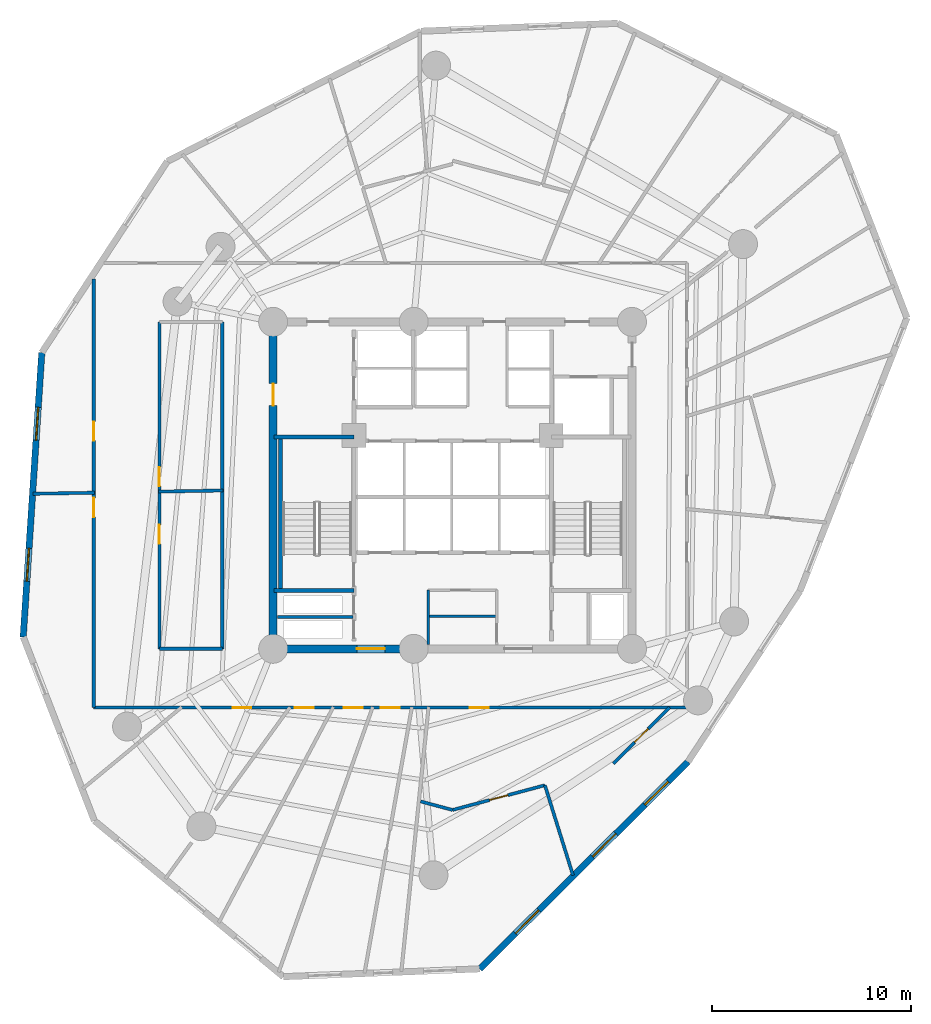
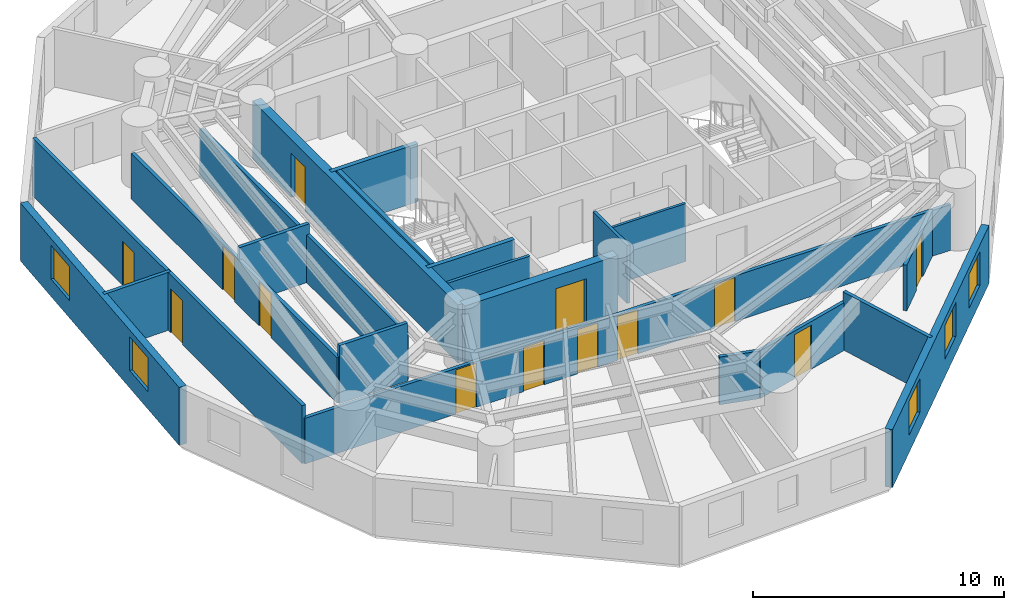
# One storey, part 3 of 8: 21 walls, 13 doors, 5 windows, 18 openings.
"""IFC4 building model written with IfcOpenShell, lengths in metres."""

from ifc_helpers import new_model, si_unit, direction, frame, frame_2d, origin, origin_with_axes, place, context, subcontext, project, spatial, rectangle, extrude, source, transform, mapped, material, layer, layer_set, type_object, element, fill, save


model = new_model("IFC4")

# Units and contexts
model_context = context("Model", 3, precision=1e-05, world=origin(), true_north=direction((0.0, 1.0)))
body_context = subcontext(model_context, "Body", "Model", "MODEL_VIEW")
ifc_project = project(units=[si_unit("LENGTHUNIT", "METRE"), si_unit("AREAUNIT", "SQUARE_METRE"), si_unit("VOLUMEUNIT", "CUBIC_METRE"), si_unit("PLANEANGLEUNIT", "RADIAN"), si_unit("MASSUNIT", "GRAM", prefix="KILO")], contexts=[model_context])

# Site, building, storey
site_placement = place(None, origin())
site = spatial("IfcSite", under=ifc_project, at=site_placement, CompositionType="ELEMENT")
building_placement = place(site_placement, origin())
building = spatial("IfcBuilding", under=site, at=building_placement, Name="Karkom Vertical University and Central Library", CompositionType="ELEMENT")
storey_placement = place(building_placement, frame((0.0, 0.0, 105.35009765625)))
storey = spatial("IfcBuildingStorey", under=building, at=storey_placement, Name="L28", CompositionType="ELEMENT", Elevation=105.35009765625)

# Wall, openings, windows
ifc_material_1 = material(Name="Brick-faced precast concrete C45/55", Category="masonry")
ifc_layer_1 = layer(ifc_material_1, 0.320068359375)
ifc_layer_set_1 = layer_set([ifc_layer_1], Name="Brick-faced precast concrete C45/55")
wall_type_1 = type_object("IfcWallType", Name="ENV-WL-BRK-320", PredefinedType="SOLIDWALL", material=ifc_layer_set_1)
wall_1_placement = place(storey_placement, frame((7.897705078125, 33.16455078125, 0.0), z_axis=(0.0, 0.0, 1.0), x_axis=(-0.065291974146, -0.99786620251, 0.0)))
wall_1 = element("IfcWall", 1, at=wall_1_placement, inside=storey, type_object=wall_type_1, Name="Level 28 Brick-Faced Precast Facade Wall 02", PredefinedType="SOLIDWALL", context=body_context, shape_type="SweptSolid", body=[
    extrude(rectangle(XDim=14.302490234375, YDim=0.320068359375, at=frame_2d((7.1513671875, 0.0))), origin(), (0.0, 0.0, 1.0), 2.824951171875),
])
opening_1_placement = place(wall_1_placement, frame((2.754150390625, 0.0, 0.85009765625)))
opening_1 = element("IfcOpeningElement", 2, at=opening_1_placement, cuts=wall_1, Name="Opening WN-06", PredefinedType="OPENING", context=body_context, shape_type="SweptSolid", body=[
    extrude(rectangle(XDim=1.64990234375, YDim=1.64990234375, at=frame_2d((0.824951171875, 0.824951171875))), frame((0.0, 0.169921875, 0.0), z_axis=(0.0, -1.0, 0.0), x_axis=(1.0, 0.0, 0.0)), (0.0, 0.0, 1.0), 0.340087890625),
])
opening_2_placement = place(wall_1_placement, frame((9.84521484375, 0.0, 0.85009765625)))
opening_2 = element("IfcOpeningElement", 3, at=opening_2_placement, cuts=wall_1, Name="Opening WN-06", PredefinedType="OPENING", context=body_context, shape_type="SweptSolid", body=[
    extrude(rectangle(XDim=1.64990234375, YDim=1.64990234375, at=frame_2d((0.824951171875, 0.824951171875))), frame((0.0, 0.169921875, 0.0), z_axis=(0.0, -1.0, 0.0), x_axis=(1.0, 0.0, 0.0)), (0.0, 0.0, 1.0), 0.340087890625),
])
ifc_material_2 = material(Name="Aluminium thermal-break frame with solar-control IGU", Category="aluminium")
window_type = type_object("IfcWindowType", Name="ENV-WIN-WN-06", PartitioningType="SINGLE_PANEL", PredefinedType="WINDOW", material=ifc_material_2)
shared_shape_1 = source(origin_with_axes(), body_context, "Body", "SweptSolid", [
    extrude(rectangle(XDim=1.64990234375, YDim=1.64990234375, at=frame_2d((0.824951171875, 0.824951171875))), frame((0.0, 0.030029296875, 0.0), z_axis=(0.0, -1.0, 0.0), x_axis=(1.0, 0.0, 0.0)), (0.0, 0.0, 1.0), 0.06005859375),
])
window_1_placement = place(opening_1_placement, origin())
window_1 = element("IfcWindow", 4, at=window_1_placement, inside=storey, type_object=window_type, Name="Level 28 Punched Window 2.1", OverallHeight=1.64990234375, OverallWidth=1.64990234375, PartitioningType="SINGLE_PANEL", PredefinedType="WINDOW", context=body_context, shape_type="MappedRepresentation", body=[
    mapped(shared_shape_1, transform((0.0, 0.0, 0.0), scale=1.0)),
])
fill(opening_1, window_1)
window_2_placement = place(opening_2_placement, origin())
window_2 = element("IfcWindow", 5, at=window_2_placement, inside=storey, type_object=window_type, Name="Level 28 Punched Window 2.2", OverallHeight=1.64990234375, OverallWidth=1.64990234375, PartitioningType="SINGLE_PANEL", PredefinedType="WINDOW", context=body_context, shape_type="MappedRepresentation", body=[
    mapped(shared_shape_1, transform((0.0, 0.0, 0.0), scale=1.0)),
])
fill(opening_2, window_2)

wall_2_placement = place(storey_placement, frame((29.8623046875, 2.24365234375, 0.0), z_axis=(0.0, 0.0, 1.0), x_axis=(0.7092089117, 0.704998382668, 0.0)))
wall_2 = element("IfcWall", 6, at=wall_2_placement, inside=storey, type_object=wall_type_1, Name="Level 28 Brick-Faced Precast Facade Wall 06", PredefinedType="SOLIDWALL", context=body_context, shape_type="SweptSolid", body=[
    extrude(rectangle(XDim=14.727783203125, YDim=0.320068359375, at=frame_2d((7.36376953125, 0.0))), origin(), (0.0, 0.0, 1.0), 2.824951171875),
])
opening_3_placement = place(wall_2_placement, frame((2.52734375, 0.0, 0.85009765625)))
opening_3 = element("IfcOpeningElement", 7, at=opening_3_placement, cuts=wall_2, Name="Opening WN-06", PredefinedType="OPENING", context=body_context, shape_type="SweptSolid", body=[
    extrude(rectangle(XDim=1.64990234375, YDim=1.64990234375, at=frame_2d((0.824951171875, 0.824951171875))), frame((0.0, 0.169921875, 0.0), z_axis=(0.0, -1.0, 0.0), x_axis=(1.0, 0.0, 0.0)), (0.0, 0.0, 1.0), 0.340087890625),
])
opening_4_placement = place(wall_2_placement, frame((7.985595703125, 0.0, 0.85009765625)))
opening_4 = element("IfcOpeningElement", 8, at=opening_4_placement, cuts=wall_2, Name="Opening WN-06", PredefinedType="OPENING", context=body_context, shape_type="SweptSolid", body=[
    extrude(rectangle(XDim=1.64990234375, YDim=1.64990234375, at=frame_2d((0.824951171875, 0.824951171875))), frame((0.0, 0.169921875, 0.0), z_axis=(0.0, -1.0, 0.0), x_axis=(1.0, 0.0, 0.0)), (0.0, 0.0, 1.0), 0.340087890625),
])
opening_5_placement = place(wall_2_placement, frame((11.677001953125, 0.0, 0.85009765625)))
opening_5 = element("IfcOpeningElement", 9, at=opening_5_placement, cuts=wall_2, Name="Opening WN-06", PredefinedType="OPENING", context=body_context, shape_type="SweptSolid", body=[
    extrude(rectangle(XDim=1.64990234375, YDim=1.64990234375, at=frame_2d((0.824951171875, 0.824951171875))), frame((0.0, 0.169921875, 0.0), z_axis=(0.0, -1.0, 0.0), x_axis=(1.0, 0.0, 0.0)), (0.0, 0.0, 1.0), 0.340087890625),
])
window_3_placement = place(opening_3_placement, origin())
window_3 = element("IfcWindow", 10, at=window_3_placement, inside=storey, type_object=window_type, Name="Level 28 Punched Window 6.1", OverallHeight=1.64990234375, OverallWidth=1.64990234375, PartitioningType="SINGLE_PANEL", PredefinedType="WINDOW", context=body_context, shape_type="MappedRepresentation", body=[
    mapped(shared_shape_1, transform((0.0, 0.0, 0.0), scale=1.0)),
])
fill(opening_3, window_3)
window_4_placement = place(opening_4_placement, origin())
window_4 = element("IfcWindow", 11, at=window_4_placement, inside=storey, type_object=window_type, Name="Level 28 Punched Window 6.2", OverallHeight=1.64990234375, OverallWidth=1.64990234375, PartitioningType="SINGLE_PANEL", PredefinedType="WINDOW", context=body_context, shape_type="MappedRepresentation", body=[
    mapped(shared_shape_1, transform((0.0, 0.0, 0.0), scale=1.0)),
])
fill(opening_4, window_4)
window_5_placement = place(opening_5_placement, origin())
window_5 = element("IfcWindow", 12, at=window_5_placement, inside=storey, type_object=window_type, Name="Level 28 Punched Window 6.3", OverallHeight=1.64990234375, OverallWidth=1.64990234375, PartitioningType="SINGLE_PANEL", PredefinedType="WINDOW", context=body_context, shape_type="MappedRepresentation", body=[
    mapped(shared_shape_1, transform((0.0, 0.0, 0.0), scale=1.0)),
])
fill(opening_5, window_5)

# Wall, openings, doors
ifc_material_3 = material(Name="Insulated metal-stud drywall 160mm", Category="gypsum")
ifc_layer_2 = layer(ifc_material_3, 0.159912109375)
ifc_layer_set_2 = layer_set([ifc_layer_2], Name="Insulated metal-stud drywall 160mm")
wall_type_2 = type_object("IfcWallType", Name="INT-WL-COR-160", PredefinedType="PARTITIONING", material=ifc_layer_set_2)
wall_3_placement = place(storey_placement, frame((40.25, 15.35009765625, 0.0), z_axis=(0.0, 0.0, 1.0), x_axis=(-1.0, 0.0, 0.0)))
wall_3 = element("IfcWall", 13, at=wall_3_placement, inside=storey, type_object=wall_type_2, Name="Level 28 Interior Partition Wall L28-CORW-CW-001", PredefinedType="PARTITIONING", context=body_context, shape_type="SweptSolid", body=[
    extrude(rectangle(XDim=29.75, YDim=0.159912109375, at=frame_2d((14.875, 0.0))), origin(), (0.0, 0.0, 1.0), 2.224853515625),
])
opening_6_placement = place(wall_3_placement, frame((21.83740234375, 0.0, 0.0)))
opening_6 = element("IfcOpeningElement", 14, at=opening_6_placement, cuts=wall_3, Name="Opening D-RM1", PredefinedType="OPENING", context=body_context, shape_type="SweptSolid", body=[
    extrude(rectangle(XDim=0.949951171875, YDim=2.14990234375, at=frame_2d((0.47509765625, 1.074951171875))), frame((0.0, 0.08984375, 0.0), z_axis=(0.0, -1.0, 0.0), x_axis=(1.0, 0.0, 0.0)), (0.0, 0.0, 1.0), 0.179931640625),
])
opening_7_placement = place(wall_3_placement, frame((18.722412109375, 0.0, 0.0)))
opening_7 = element("IfcOpeningElement", 15, at=opening_7_placement, cuts=wall_3, Name="Opening D-RM1", PredefinedType="OPENING", context=body_context, shape_type="SweptSolid", body=[
    extrude(rectangle(XDim=0.949951171875, YDim=2.14990234375, at=frame_2d((0.47509765625, 1.074951171875))), frame((0.0, 0.08984375, 0.0), z_axis=(0.0, -1.0, 0.0), x_axis=(1.0, 0.0, 0.0)), (0.0, 0.0, 1.0), 0.179931640625),
])
opening_8_placement = place(wall_3_placement, frame((16.24951171875, 0.0, 0.0)))
opening_8 = element("IfcOpeningElement", 16, at=opening_8_placement, cuts=wall_3, Name="Opening D-RM1", PredefinedType="OPENING", context=body_context, shape_type="SweptSolid", body=[
    extrude(rectangle(XDim=0.949951171875, YDim=2.14990234375, at=frame_2d((0.47509765625, 1.074951171875))), frame((0.0, 0.08984375, 0.0), z_axis=(0.0, -1.0, 0.0), x_axis=(1.0, 0.0, 0.0)), (0.0, 0.0, 1.0), 0.179931640625),
])
opening_9_placement = place(wall_3_placement, frame((14.39990234375, 0.0, 0.0)))
opening_9 = element("IfcOpeningElement", 17, at=opening_9_placement, cuts=wall_3, Name="Opening D-RM1", PredefinedType="OPENING", context=body_context, shape_type="SweptSolid", body=[
    extrude(rectangle(XDim=0.949951171875, YDim=2.14990234375, at=frame_2d((0.47509765625, 1.074951171875))), frame((0.0, 0.08984375, 0.0), z_axis=(0.0, -1.0, 0.0), x_axis=(1.0, 0.0, 0.0)), (0.0, 0.0, 1.0), 0.179931640625),
])
opening_10_placement = place(wall_3_placement, frame((9.9375, 0.0, 0.0)))
opening_10 = element("IfcOpeningElement", 18, at=opening_10_placement, cuts=wall_3, Name="Opening D-RM1", PredefinedType="OPENING", context=body_context, shape_type="SweptSolid", body=[
    extrude(rectangle(XDim=0.949951171875, YDim=2.14990234375, at=frame_2d((0.47509765625, 1.074951171875))), frame((0.0, 0.08984375, 0.0), z_axis=(0.0, -1.0, 0.0), x_axis=(1.0, 0.0, 0.0)), (0.0, 0.0, 1.0), 0.179931640625),
])
ifc_material_4 = material(Name="Solid-core oak veneer door", Category="wood")
door_type_1 = type_object("IfcDoorType", Name="INT-DR-RM1", OperationType="NOTDEFINED", PredefinedType="DOOR", material=ifc_material_4)
shared_shape_2 = source(origin_with_axes(), body_context, "Body", "SweptSolid", [
    extrude(rectangle(XDim=0.949951171875, YDim=2.14990234375, at=frame_2d((0.47509765625, 1.074951171875))), frame((0.0, 0.02490234375, 0.0), z_axis=(0.0, -1.0, 0.0), x_axis=(1.0, 0.0, 0.0)), (0.0, 0.0, 1.0), 0.050048828125),
])
door_1_placement = place(opening_6_placement, origin())
door_1 = element("IfcDoor", 19, at=door_1_placement, inside=storey, type_object=door_type_1, Name="Level 28 Room Entry Door 020", OperationType="SINGLE_SWING_LEFT", OverallHeight=2.14990234375, OverallWidth=0.949951171875, PredefinedType="DOOR", context=body_context, shape_type="MappedRepresentation", body=[
    mapped(shared_shape_2, transform((0.0, 0.0, 0.0), scale=1.0)),
])
fill(opening_6, door_1)
door_2_placement = place(opening_7_placement, origin())
door_2 = element("IfcDoor", 20, at=door_2_placement, inside=storey, type_object=door_type_1, Name="Level 28 Room Entry Door 030", OperationType="SINGLE_SWING_RIGHT", OverallHeight=2.14990234375, OverallWidth=0.949951171875, PredefinedType="DOOR", context=body_context, shape_type="MappedRepresentation", body=[
    mapped(shared_shape_2, transform((0.0, 0.0, 0.0), scale=1.0)),
])
fill(opening_7, door_2)
door_3_placement = place(opening_8_placement, origin())
door_3 = element("IfcDoor", 21, at=door_3_placement, inside=storey, type_object=door_type_1, Name="Level 28 Room Entry Door 040", OperationType="SINGLE_SWING_LEFT", OverallHeight=2.14990234375, OverallWidth=0.949951171875, PredefinedType="DOOR", context=body_context, shape_type="MappedRepresentation", body=[
    mapped(shared_shape_2, transform((0.0, 0.0, 0.0), scale=1.0)),
])
fill(opening_8, door_3)
door_4_placement = place(opening_9_placement, origin())
door_4 = element("IfcDoor", 22, at=door_4_placement, inside=storey, type_object=door_type_1, Name="Level 28 Room Entry Door 050", OperationType="SINGLE_SWING_RIGHT", OverallHeight=2.14990234375, OverallWidth=0.949951171875, PredefinedType="DOOR", context=body_context, shape_type="MappedRepresentation", body=[
    mapped(shared_shape_2, transform((0.0, 0.0, 0.0), scale=1.0)),
])
fill(opening_9, door_4)
door_5_placement = place(opening_10_placement, origin())
door_5 = element("IfcDoor", 23, at=door_5_placement, inside=storey, type_object=door_type_1, Name="Level 28 Room Entry Door 080", OperationType="SINGLE_SWING_LEFT", OverallHeight=2.14990234375, OverallWidth=0.949951171875, PredefinedType="DOOR", context=body_context, shape_type="MappedRepresentation", body=[
    mapped(shared_shape_2, transform((0.0, 0.0, 0.0), scale=1.0)),
])
fill(opening_10, door_5)

wall_4_placement = place(storey_placement, frame((10.5, 15.35009765625, 0.0), z_axis=(0.0, 0.0, 1.0), x_axis=(0.0, 1.0, 0.0)))
wall_4 = element("IfcWall", 24, at=wall_4_placement, inside=storey, type_object=wall_type_2, Name="Level 28 Interior Partition Wall L28-CORW-CW-002", PredefinedType="PARTITIONING", context=body_context, shape_type="SweptSolid", body=[
    extrude(rectangle(XDim=21.502197265625, YDim=0.159912109375, at=frame_2d((10.7509765625, 0.0))), origin(), (0.0, 0.0, 1.0), 2.824951171875),
])
opening_11_placement = place(wall_4_placement, frame((9.555908203125, 0.0, 0.0)))
opening_11 = element("IfcOpeningElement", 25, at=opening_11_placement, cuts=wall_4, Name="Opening FD-RM2", PredefinedType="OPENING", context=body_context, shape_type="SweptSolid", body=[
    extrude(rectangle(XDim=0.9599609375, YDim=2.14990234375, at=frame_2d((0.47998046875, 1.074951171875))), frame((0.0, 0.08984375, 0.0), z_axis=(0.0, -1.0, 0.0), x_axis=(1.0, 0.0, 0.0)), (0.0, 0.0, 1.0), 0.179931640625),
])
opening_12_placement = place(wall_4_placement, frame((13.39697265625, 0.0, 0.0)))
opening_12 = element("IfcOpeningElement", 26, at=opening_12_placement, cuts=wall_4, Name="Opening D-RM1", PredefinedType="OPENING", context=body_context, shape_type="SweptSolid", body=[
    extrude(rectangle(XDim=0.949951171875, YDim=2.14990234375, at=frame_2d((0.47509765625, 1.074951171875))), frame((0.0, 0.08984375, 0.0), z_axis=(0.0, -1.0, 0.0), x_axis=(1.0, 0.0, 0.0)), (0.0, 0.0, 1.0), 0.179931640625),
])
ifc_material_5 = material(Name="Fire-rated oak veneer door", Category="wood")
door_type_2 = type_object("IfcDoorType", Name="INT-DR-FRM2", OperationType="NOTDEFINED", PredefinedType="DOOR", material=ifc_material_5)
shared_shape_3 = source(origin_with_axes(), body_context, "Body", "SweptSolid", [
    extrude(rectangle(XDim=0.9599609375, YDim=2.14990234375, at=frame_2d((0.47998046875, 1.074951171875))), frame((0.0, 0.02490234375, 0.0), z_axis=(0.0, -1.0, 0.0), x_axis=(1.0, 0.0, 0.0)), (0.0, 0.0, 1.0), 0.050048828125),
])
door_6_placement = place(opening_11_placement, origin())
door_6 = element("IfcDoor", 27, at=door_6_placement, inside=storey, type_object=door_type_2, Name="Level 28 Room Entry Door 010", OperationType="SINGLE_SWING_RIGHT", OverallHeight=2.14990234375, OverallWidth=0.9599609375, PredefinedType="DOOR", context=body_context, shape_type="MappedRepresentation", body=[
    mapped(shared_shape_3, transform((0.0, 0.0, 0.0), scale=1.0)),
])
fill(opening_11, door_6)
door_7_placement = place(opening_12_placement, origin())
door_7 = element("IfcDoor", 28, at=door_7_placement, inside=storey, type_object=door_type_1, Name="Level 28 Room Entry Door 260", OperationType="SINGLE_SWING_RIGHT", OverallHeight=2.14990234375, OverallWidth=0.949951171875, PredefinedType="DOOR", context=body_context, shape_type="MappedRepresentation", body=[
    mapped(shared_shape_2, transform((0.0, 0.0, 0.0), scale=1.0)),
])
fill(opening_12, door_7)

wall_5_placement = place(storey_placement, frame((13.800048828125, 34.699951171875, 0.0), z_axis=(0.0, 0.0, 1.0), x_axis=(0.0, -1.0, 0.0)))
wall_5 = element("IfcWall", 29, at=wall_5_placement, inside=storey, type_object=wall_type_2, Name="Level 28 Interior Partition Wall L28-CORW-CW-006", PredefinedType="PARTITIONING", context=body_context, shape_type="SweptSolid", body=[
    extrude(rectangle(XDim=16.39990234375, YDim=0.159912109375, at=frame_2d((8.199951171875, 0.0))), origin(), (0.0, 0.0, 1.0), 2.224853515625),
])
opening_13_placement = place(wall_5_placement, frame((10.18505859375, 0.0, 0.0)))
opening_13 = element("IfcOpeningElement", 30, at=opening_13_placement, cuts=wall_5, Name="Opening D-RM1", PredefinedType="OPENING", context=body_context, shape_type="SweptSolid", body=[
    extrude(rectangle(XDim=0.949951171875, YDim=2.14990234375, at=frame_2d((0.47509765625, 1.074951171875))), frame((0.0, 0.08984375, 0.0), z_axis=(0.0, -1.0, 0.0), x_axis=(1.0, 0.0, 0.0)), (0.0, 0.0, 1.0), 0.179931640625),
])
opening_14_placement = place(wall_5_placement, frame((7.284912109375, 0.0, 0.0)))
opening_14 = element("IfcOpeningElement", 31, at=opening_14_placement, cuts=wall_5, Name="Opening D-RM1", PredefinedType="OPENING", context=body_context, shape_type="SweptSolid", body=[
    extrude(rectangle(XDim=0.949951171875, YDim=2.14990234375, at=frame_2d((0.47509765625, 1.074951171875))), frame((0.0, 0.08984375, 0.0), z_axis=(0.0, -1.0, 0.0), x_axis=(1.0, 0.0, 0.0)), (0.0, 0.0, 1.0), 0.179931640625),
])
door_8_placement = place(opening_13_placement, origin())
door_8 = element("IfcDoor", 32, at=door_8_placement, inside=storey, type_object=door_type_1, Name="Level 28 Room Entry Door 000", OperationType="SINGLE_SWING_LEFT", OverallHeight=2.14990234375, OverallWidth=0.949951171875, PredefinedType="DOOR", context=body_context, shape_type="MappedRepresentation", body=[
    mapped(shared_shape_2, transform((0.0, 0.0, 0.0), scale=1.0)),
])
fill(opening_13, door_8)
door_9_placement = place(opening_14_placement, origin())
door_9 = element("IfcDoor", 33, at=door_9_placement, inside=storey, type_object=door_type_1, Name="Level 28 Room Entry Door 250", OperationType="SINGLE_SWING_LEFT", OverallHeight=2.14990234375, OverallWidth=0.949951171875, PredefinedType="DOOR", context=body_context, shape_type="MappedRepresentation", body=[
    mapped(shared_shape_2, transform((0.0, 0.0, 0.0), scale=1.0)),
])
fill(opening_14, door_9)

# Wall
wall_6_placement = place(storey_placement, frame((16.949951171875, 18.300048828125, 0.0), z_axis=(0.0, 0.0, 1.0), x_axis=(0.0, 1.0, 0.0)))
element("IfcWall", 34, at=wall_6_placement, inside=storey, type_object=wall_type_2, Name="Level 28 Interior Partition Wall L28-CORW-CW-008", PredefinedType="PARTITIONING", context=body_context, shape_type="SweptSolid", body=[
    extrude(rectangle(XDim=16.39990234375, YDim=0.159912109375, at=frame_2d((8.199951171875, 0.0))), origin(), (0.0, 0.0, 1.0), 2.324951171875),
])

# Wall, opening, door
wall_7_placement = place(storey_placement, frame((28.5, 10.21728515625, 0.0), z_axis=(0.0, 0.0, 1.0), x_axis=(0.965931685924, 0.258797175657, 0.0)))
wall_7 = element("IfcWall", 35, at=wall_7_placement, inside=storey, type_object=wall_type_2, Name="Level 28 Interior Partition Wall L28-PW-012", PredefinedType="PARTITIONING", context=body_context, shape_type="SweptSolid", body=[
    extrude(rectangle(XDim=4.794189453125, YDim=0.159912109375, at=frame_2d((2.39697265625, 0.0))), origin(), (0.0, 0.0, 1.0), 2.324951171875),
])
opening_15_placement = place(wall_7_placement, frame((1.922119140625, 0.0, 0.0)))
opening_15 = element("IfcOpeningElement", 36, at=opening_15_placement, cuts=wall_7, Name="Opening D-RM1", PredefinedType="OPENING", context=body_context, shape_type="SweptSolid", body=[
    extrude(rectangle(XDim=0.949951171875, YDim=2.14990234375, at=frame_2d((0.47509765625, 1.074951171875))), frame((0.0, 0.08984375, 0.0), z_axis=(0.0, -1.0, 0.0), x_axis=(1.0, 0.0, 0.0)), (0.0, 0.0, 1.0), 0.179931640625),
])
door_10_placement = place(opening_15_placement, origin())
door_10 = element("IfcDoor", 37, at=door_10_placement, inside=storey, type_object=door_type_1, Name="Level 28 Room Entry Door 070", OperationType="SINGLE_SWING_RIGHT", OverallHeight=2.14990234375, OverallWidth=0.949951171875, PredefinedType="DOOR", context=body_context, shape_type="MappedRepresentation", body=[
    mapped(shared_shape_2, transform((0.0, 0.0, 0.0), scale=1.0)),
])
fill(opening_15, door_10)

# Wall
wall_8_placement = place(storey_placement, frame((33.130859375, 11.4580078125, 0.0), z_axis=(0.0, 0.0, 1.0), x_axis=(0.297846136439, -0.954613890014, 0.0)))
element("IfcWall", 38, at=wall_8_placement, inside=storey, type_object=wall_type_2, Name="Level 28 Interior Partition Wall L28-PW-013", PredefinedType="PARTITIONING", context=body_context, shape_type="SweptSolid", body=[
    extrude(rectangle(XDim=4.73291015625, YDim=0.159912109375, at=frame_2d((2.366455078125, 0.0))), origin(), (0.0, 0.0, 1.0), 2.824951171875),
])

# Wall, opening, door
wall_9_placement = place(storey_placement, frame((39.3876953125, 15.37109375, 0.0), z_axis=(0.0, 0.0, 1.0), x_axis=(-0.707137292148, -0.707076268909, 0.0)))
wall_9 = element("IfcWall", 39, at=wall_9_placement, inside=storey, type_object=wall_type_2, Name="Level 28 Interior Partition Wall L28-PW-014", PredefinedType="PARTITIONING", context=body_context, shape_type="SweptSolid", body=[
    extrude(rectangle(XDim=4.000732421875, YDim=0.159912109375, at=frame_2d((2.00048828125, 0.0))), origin(), (0.0, 0.0, 1.0), 2.224853515625),
])
opening_16_placement = place(wall_9_placement, frame((1.525390625, 0.0, 0.0)))
opening_16 = element("IfcOpeningElement", 40, at=opening_16_placement, cuts=wall_9, Name="Opening FD-RM2", PredefinedType="OPENING", context=body_context, shape_type="SweptSolid", body=[
    extrude(rectangle(XDim=0.9599609375, YDim=2.14990234375, at=frame_2d((0.47998046875, 1.074951171875))), frame((0.0, 0.08984375, 0.0), z_axis=(0.0, -1.0, 0.0), x_axis=(1.0, 0.0, 0.0)), (0.0, 0.0, 1.0), 0.179931640625),
])
door_11_placement = place(opening_16_placement, origin())
door_11 = element("IfcDoor", 41, at=door_11_placement, inside=storey, type_object=door_type_2, Name="Level 28 Room Entry Door 090", OperationType="SINGLE_SWING_LEFT", OverallHeight=2.14990234375, OverallWidth=0.9599609375, PredefinedType="DOOR", context=body_context, shape_type="MappedRepresentation", body=[
    mapped(shared_shape_3, transform((0.0, 0.0, 0.0), scale=1.0)),
])
fill(opening_16, door_11)

# Walls
wall_10_placement = place(storey_placement, frame((13.7548828125, 26.185546875, 0.0), z_axis=(0.0, 0.0, 1.0), x_axis=(0.999849874273, 0.01732711506, 0.0)))
element("IfcWall", 42, at=wall_10_placement, inside=storey, type_object=wall_type_2, Name="Level 28 Interior Partition Wall L28-PW-001", PredefinedType="PARTITIONING", context=body_context, shape_type="SweptSolid", body=[
    extrude(rectangle(XDim=3.24072265625, YDim=0.159912109375, at=frame_2d((1.620361328125, 0.0))), origin(), (0.0, 0.0, 1.0), 2.824951171875),
])
wall_11_placement = place(storey_placement, frame((13.800048828125, 18.300048828125, 0.0), z_axis=(0.0, 0.0, 1.0), x_axis=(1.0, 0.0, 0.0)))
element("IfcWall", 43, at=wall_11_placement, inside=storey, type_object=wall_type_2, Name="Level 28 Interior Partition Wall L28-CORW-CW-007", PredefinedType="PARTITIONING", context=body_context, shape_type="SweptSolid", body=[
    extrude(rectangle(XDim=3.14990234375, YDim=0.159912109375, at=frame_2d((1.574951171875, 0.0))), origin(), (0.0, 0.0, 1.0), 2.824951171875),
])
wall_12_placement = place(storey_placement, frame((7.459228515625, 26.076904296875, 0.0), z_axis=(0.0, 0.0, 1.0), x_axis=(0.999849963259, 0.017321979428, 0.0)))
element("IfcWall", 44, at=wall_12_placement, inside=storey, type_object=wall_type_2, Name="Level 28 Interior Partition Wall L28-PW-004", PredefinedType="PARTITIONING", context=body_context, shape_type="SweptSolid", body=[
    extrude(rectangle(XDim=3.086669921875, YDim=0.159912109375, at=frame_2d((1.54345703125, 0.0))), origin(), (0.0, 0.0, 1.0), 2.824951171875),
])
wall_13_placement = place(storey_placement, frame((26.896240234375, 10.64697265625, 0.0), z_axis=(0.0, 0.0, 1.0), x_axis=(0.96593164329, -0.258797334783, 0.0)))
element("IfcWall", 45, at=wall_13_placement, inside=storey, type_object=wall_type_2, Name="Level 28 Interior Partition Wall L28-PW-011", PredefinedType="PARTITIONING", context=body_context, shape_type="SweptSolid", body=[
    extrude(rectangle(XDim=1.660400390625, YDim=0.159912109375, at=frame_2d((0.830078125, 0.0))), origin(), (0.0, 0.0, 1.0), 2.324951171875),
])
ifc_material_6 = material(Name="Moisture-resistant drywall 120mm", Category="gypsum")
ifc_layer_3 = layer(ifc_material_6, 0.1201171875)
ifc_layer_set_3 = layer_set([ifc_layer_3], Name="Moisture-resistant drywall 120mm")
wall_type_3 = type_object("IfcWallType", Name="INT-WL-INT-120", PredefinedType="PARTITIONING", material=ifc_layer_set_3)
wall_14_placement = place(storey_placement, frame((27.280029296875, 19.93994140625, 0.0), z_axis=(0.0, 0.0, 1.0), x_axis=(1.0, 0.0, 0.0)))
element("IfcWall", 46, at=wall_14_placement, inside=storey, type_object=wall_type_3, Name="Level 28 Interior Partition Wall L28-CW-K4-DIV", PredefinedType="PARTITIONING", context=body_context, shape_type="SweptSolid", body=[
    extrude(rectangle(XDim=3.43994140625, YDim=0.1201171875, at=frame_2d((1.719970703125, 0.0))), origin(), (0.0, 0.0, 1.0), 2.824951171875),
])
ifc_material_7 = material(Name="Metal-stud gypsum partition 140mm", Category="gypsum")
ifc_layer_4 = layer(ifc_material_7, 0.139892578125)
ifc_layer_set_4 = layer_set([ifc_layer_4], Name="Metal-stud gypsum partition 140mm")
wall_type_4 = type_object("IfcWallType", Name="INT-WL-SUB-140", PredefinedType="PARTITIONING", material=ifc_layer_set_4)
wall_15_placement = place(storey_placement, frame((27.280029296875, 18.507080078125, 0.0), z_axis=(0.0, 0.0, 1.0), x_axis=(0.0, 1.0, 0.0)))
element("IfcWall", 47, at=wall_15_placement, inside=storey, type_object=wall_type_4, Name="Level 28 Interior Partition Wall L28-CW-KBAY-W", PredefinedType="PARTITIONING", context=body_context, shape_type="SweptSolid", body=[
    extrude(rectangle(XDim=2.73291015625, YDim=0.139892578125, at=frame_2d((1.366455078125, 0.0))), origin(), (0.0, 0.0, 1.0), 2.824951171875),
])
ifc_layer_5 = layer(ifc_material_7, 0.139892578125)
ifc_layer_set_5 = layer_set([ifc_layer_5], Name="Metal-stud gypsum partition 140mm")
wall_type_5 = type_object("IfcWallType", Name="INT-WL-SUB-140H", PredefinedType="PARTITIONING", material=ifc_layer_set_5)
wall_16_placement = place(storey_placement, frame((19.70703125, 19.889892578125, 0.0), z_axis=(0.0, 0.0, 1.0), x_axis=(1.0, 0.0, 0.0)))
element("IfcWall", 48, at=wall_16_placement, inside=storey, type_object=wall_type_5, Name="Level 28 Interior Partition Wall L28-CW-RIS-W", PredefinedType="PARTITIONING", context=body_context, shape_type="SweptSolid", body=[
    extrude(rectangle(XDim=3.789794921875, YDim=0.139892578125, at=frame_2d((1.89501953125, 0.0))), origin(), (0.0, 0.0, 1.0), 2.824951171875),
])

# Wall, opening, door
ifc_material_8 = material(Name="Concrete C50/60", Category="concrete")
ifc_layer_6 = layer(ifc_material_8, 0.39990234375)
ifc_layer_set_6 = layer_set([ifc_layer_6], Name="Concrete C50/60")
wall_type_6 = type_object("IfcWallType", Name="STR-WL-CW-400", PredefinedType="SHEAR", material=ifc_layer_set_6)
wall_17_placement = place(storey_placement, frame((19.5, 18.300048828125, 0.0), z_axis=(0.0, 0.0, 1.0), x_axis=(1.0, 0.0, 0.0)))
wall_17 = element("IfcWall", 49, at=wall_17_placement, inside=storey, type_object=wall_type_6, Name="Level 28 Central Core Shear Wall SW1", PredefinedType="SHEAR", context=body_context, shape_type="SweptSolid", body=[
    extrude(rectangle(XDim=7.050048828125, YDim=0.39990234375, at=frame_2d((3.52490234375, 0.0))), origin(), (0.0, 0.0, 1.0), 2.824951171875),
])
opening_17_placement = place(wall_17_placement, frame((4.199951171875, 0.0, 0.0)))
opening_17 = element("IfcOpeningElement", 50, at=opening_17_placement, cuts=wall_17, Name="Opening FD-CLB", PredefinedType="OPENING", context=body_context, shape_type="SweptSolid", body=[
    extrude(rectangle(XDim=1.39990234375, YDim=2.199951171875, at=frame_2d((0.699951171875, 1.10009765625))), frame((0.0, 0.2099609375, 0.0), z_axis=(0.0, -1.0, 0.0), x_axis=(1.0, 0.0, 0.0)), (0.0, 0.0, 1.0), 0.419921875),
])
ifc_material_9 = material(Name="Painted steel fire door", Category="steel")
door_type_3 = type_object("IfcDoorType", Name="INT-DR-CLB", OperationType="DOUBLE_DOOR_SINGLE_SWING", PredefinedType="DOOR", material=ifc_material_9)
shared_shape_4 = source(origin_with_axes(), body_context, "Body", "SweptSolid", [
    extrude(rectangle(XDim=1.39990234375, YDim=2.199951171875, at=frame_2d((0.699951171875, 1.10009765625))), frame((0.0, 0.02490234375, 0.0), z_axis=(0.0, -1.0, 0.0), x_axis=(1.0, 0.0, 0.0)), (0.0, 0.0, 1.0), 0.050048828125),
])
door_12_placement = place(opening_17_placement, origin())
door_12 = element("IfcDoor", 51, at=door_12_placement, inside=storey, type_object=door_type_3, Name="Level 28 South Core Lobby West Exit Door", OperationType="DOUBLE_DOOR_SINGLE_SWING", OverallHeight=2.199951171875, OverallWidth=1.39990234375, PredefinedType="DOOR", context=body_context, shape_type="MappedRepresentation", body=[
    mapped(shared_shape_4, transform((0.0, 0.0, 0.0), scale=1.0)),
])
fill(opening_17, door_12)

wall_18_placement = place(storey_placement, frame((19.5, 34.699951171875, 0.0), z_axis=(0.0, 0.0, 1.0), x_axis=(0.0, -1.0, 0.0)))
wall_18 = element("IfcWall", 52, at=wall_18_placement, inside=storey, type_object=wall_type_6, Name="Level 28 Central Core Shear Wall WW", PredefinedType="SHEAR", context=body_context, shape_type="SweptSolid", body=[
    extrude(rectangle(XDim=16.39990234375, YDim=0.39990234375, at=frame_2d((8.199951171875, 0.0))), origin(), (0.0, 0.0, 1.0), 2.824951171875),
])
opening_18_placement = place(wall_18_placement, frame((3.10009765625, 0.0, 0.0)))
opening_18 = element("IfcOpeningElement", 53, at=opening_18_placement, cuts=wall_18, Name="Opening FD-FFL", PredefinedType="OPENING", context=body_context, shape_type="SweptSolid", body=[
    extrude(rectangle(XDim=1.10009765625, YDim=2.14990234375, at=frame_2d((0.550048828125, 1.074951171875))), frame((0.0, 0.2099609375, 0.0), z_axis=(0.0, -1.0, 0.0), x_axis=(1.0, 0.0, 0.0)), (0.0, 0.0, 1.0), 0.419921875),
])
ifc_material_10 = material(Name="Painted steel smoke-seal fire door", Category="steel")
door_type_4 = type_object("IfcDoorType", Name="INT-DR-FFL", OperationType="NOTDEFINED", PredefinedType="DOOR", material=ifc_material_10)
shared_shape_5 = source(origin_with_axes(), body_context, "Body", "SweptSolid", [
    extrude(rectangle(XDim=1.10009765625, YDim=2.14990234375, at=frame_2d((0.550048828125, 1.074951171875))), frame((0.0, 0.02490234375, 0.0), z_axis=(0.0, -1.0, 0.0), x_axis=(1.0, 0.0, 0.0)), (0.0, 0.0, 1.0), 0.050048828125),
])
door_13_placement = place(opening_18_placement, origin())
door_13 = element("IfcDoor", 54, at=door_13_placement, inside=storey, type_object=door_type_4, Name="Level 28 West Corridor Firefighting Lobby Door", OperationType="SINGLE_SWING_RIGHT", OverallHeight=2.14990234375, OverallWidth=1.10009765625, PredefinedType="DOOR", context=body_context, shape_type="MappedRepresentation", body=[
    mapped(shared_shape_5, transform((0.0, 0.0, 0.0), scale=1.0)),
])
fill(opening_18, door_13)

# Walls
ifc_material_11 = material(Name="Concrete C45/55", Category="concrete")
ifc_layer_7 = layer(ifc_material_11, 0.199951171875)
ifc_layer_set_7 = layer_set([ifc_layer_7], Name="Concrete C45/55")
wall_type_7 = type_object("IfcWallType", Name="STR-WL-ST-200", PredefinedType="SHEAR", material=ifc_layer_set_7)
wall_19_placement = place(storey_placement, frame((19.875, 21.320068359375, 0.0), z_axis=(0.0, 0.0, 1.0), x_axis=(0.0, 1.0, 0.0)))
element("IfcWall", 55, at=wall_19_placement, inside=storey, type_object=wall_type_7, Name="Level 28 Core Shaft Wall L28-CW-ST1-W", PredefinedType="SHEAR", context=body_context, shape_type="SweptSolid", body=[
    extrude(rectangle(XDim=7.5, YDim=0.199951171875, at=frame_2d((3.75, 0.0))), origin(), (0.0, 0.0, 1.0), 2.824951171875),
])
for number, where, z_axis, x_axis, name in (
    (56, (19.550048828125, 21.215087890625, 0.0), (0.0, 0.0, 1.0), (1.0, 0.0, 0.0), "Level 28 Core Shaft Wall L28-CW-ST1-S"),
    (57, (19.550048828125, 28.925048828125, 0.0), (0.0, 0.0, 1.0), (1.0, 0.0, 0.0), "Level 28 Core Shaft Wall L28-CW-ST1-N"),
):
    element("IfcWall", number, at=place(storey_placement, frame(where, z_axis=z_axis, x_axis=x_axis)), inside=storey, type_object=wall_type_7, Name=name, PredefinedType="SHEAR", context=body_context, shape_type="SweptSolid", body=[
        extrude(rectangle(XDim=3.994873046875, YDim=0.199951171875, at=frame_2d((1.99755859375, 0.0))), origin(), (0.0, 0.0, 1.0), 2.824951171875),
    ])

save(model, "model.ifc")
